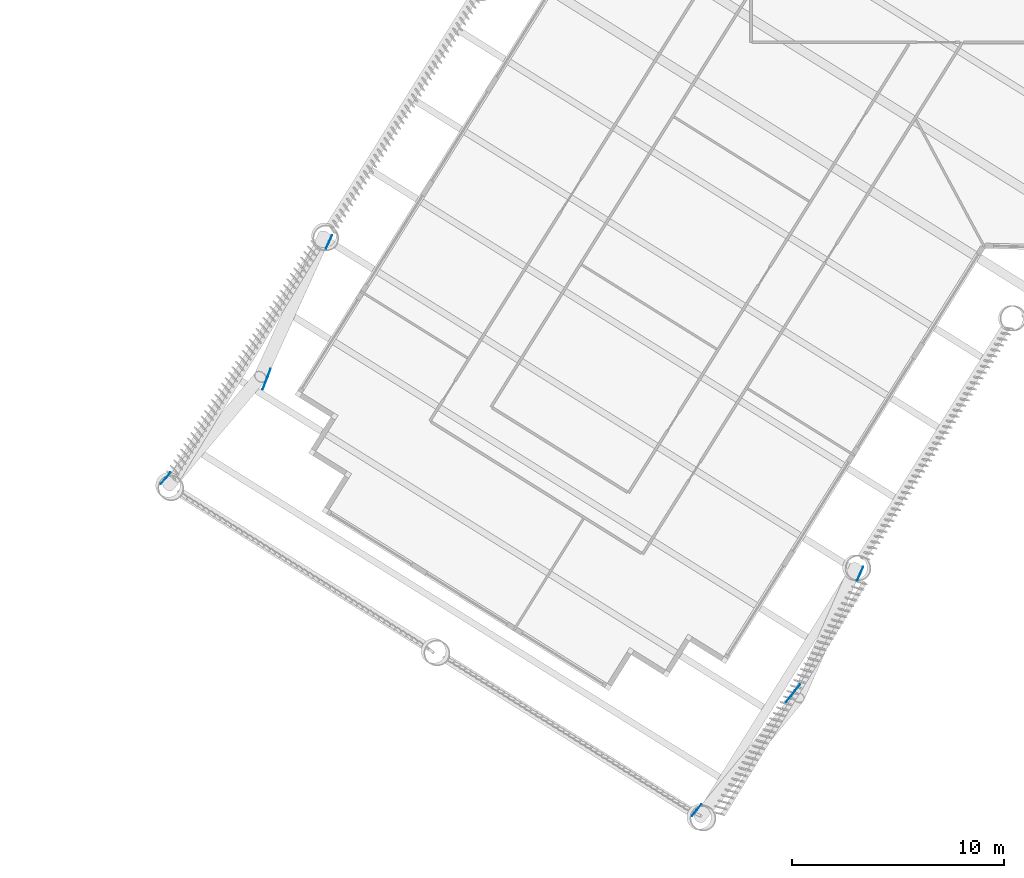
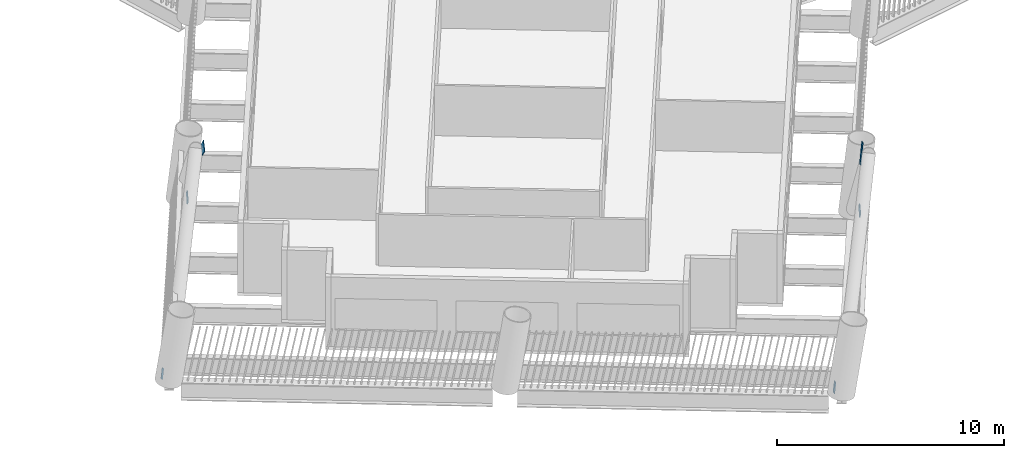
# One storey, part 8 of 22: 6 discrete accessories.
"""IFC4 building model written with IfcOpenShell, lengths in metres."""

from ifc_helpers import new_model, si_unit, direction, frame, origin, origin_2d, place, context, subcontext, project, spatial, rectangle, extrude, material, material_profile, profile_set, type_object, element, save


model = new_model("IFC4")

# Units and contexts
model_context = context("Model", 3, precision=1e-05, world=origin(), true_north=direction((0.0, 1.0)))
body_context = subcontext(model_context, "Body", "Model", "MODEL_VIEW")
ifc_project = project(units=[si_unit("LENGTHUNIT", "METRE"), si_unit("AREAUNIT", "SQUARE_METRE"), si_unit("VOLUMEUNIT", "CUBIC_METRE"), si_unit("PLANEANGLEUNIT", "RADIAN"), si_unit("MASSUNIT", "GRAM", prefix="KILO")], contexts=[model_context])

# Site, building, storey
site_placement = place(None, origin())
site = spatial("IfcSite", under=ifc_project, at=site_placement, CompositionType="ELEMENT")
building_placement = place(site_placement, origin())
building = spatial("IfcBuilding", under=site, at=building_placement, Name="Tarsis Ring Headquarters", CompositionType="ELEMENT")
storey_placement = place(building_placement, frame((0.0, 0.0, 71.199951171875)))
storey = spatial("IfcBuildingStorey", under=building, at=storey_placement, Name="L15", CompositionType="ELEMENT", Elevation=71.199951171875)

# Discrete accessories
ifc_material = material(Name="Structural steel S355", Category="steel")
ifc_material_profile = material_profile(ifc_material, rectangle(XDim=0.02490234375, YDim=0.5, at=origin_2d()), Name="PL 25x500")
ifc_profile_set = profile_set([ifc_material_profile], Name="Structural steel S355")
discrete_accessory_type = type_object("IfcDiscreteAccessoryType", Name="Gusset plate Exo brace 25", PredefinedType="BRACKET", material=ifc_profile_set)
discrete_accessory_1_placement = place(storey_placement, frame((-32.875, -25.275634765625, 0.0), z_axis=(-0.282762106133, -0.622662668946, 0.729614139142), x_axis=(0.910513158848, -0.413480093312, 0.0)))
element("IfcDiscreteAccessory", 1, at=discrete_accessory_1_placement, inside=storey, type_object=discrete_accessory_type, Name="Gusset plate GP5", PredefinedType="BRACKET", context=body_context, shape_type="SweptSolid", body=[
    extrude(rectangle(XDim=0.02490234375, YDim=0.5, at=origin_2d()), origin(), (0.0, 0.0, 1.0), 0.5),
])
discrete_accessory_2_placement = place(storey_placement, frame((-35.77001953125, -31.595458984375, 7.4375), z_axis=(-0.245383750825, -0.64336933674, 0.725163920348), x_axis=(0.934347230149, -0.35636393408, 0.0)))
element("IfcDiscreteAccessory", 2, at=discrete_accessory_2_placement, inside=storey, type_object=discrete_accessory_type, Name="Gusset plate GP5", PredefinedType="BRACKET", context=body_context, shape_type="SweptSolid", body=[
    extrude(rectangle(XDim=0.02490234375, YDim=0.5, at=origin_2d()), origin(), (0.0, 0.0, 1.0), 1.0),
])
discrete_accessory_3_placement = place(storey_placement, frame((-40.77294921875, -36.729248046875, 0.0), z_axis=(0.421305866556, 0.498439501452, 0.757667097212), x_axis=(-0.763726656604, 0.64553976949, 0.0)))
element("IfcDiscreteAccessory", 3, at=discrete_accessory_3_placement, inside=storey, type_object=discrete_accessory_type, Name="Gusset plate GP5", PredefinedType="BRACKET", context=body_context, shape_type="SweptSolid", body=[
    extrude(rectangle(XDim=0.02490234375, YDim=0.5, at=origin_2d()), origin(), (0.0, 0.0, 1.0), 0.5),
])
discrete_accessory_4_placement = place(storey_placement, frame((-15.673583984375, -52.41796875, 0.0), z_axis=(0.435926144277, 0.52867638774, 0.728333490774), x_axis=(-0.771539366313, 0.636181582749, 0.0)))
element("IfcDiscreteAccessory", 4, at=discrete_accessory_4_placement, inside=storey, type_object=discrete_accessory_type, Name="Gusset plate GP5", PredefinedType="BRACKET", context=body_context, shape_type="SweptSolid", body=[
    extrude(rectangle(XDim=0.02490234375, YDim=0.5, at=origin_2d()), origin(), (0.0, 0.0, 1.0), 0.500244140625),
])
discrete_accessory_5_placement = place(storey_placement, frame((-11.2255859375, -47.035400390625, 7.436767578125), z_axis=(0.423580942075, 0.541011739273, 0.726557281623), x_axis=(-0.787377520721, 0.616471118434, 0.0)))
element("IfcDiscreteAccessory", 5, at=discrete_accessory_5_placement, inside=storey, type_object=discrete_accessory_type, Name="Gusset plate GP5", PredefinedType="BRACKET", context=body_context, shape_type="SweptSolid", body=[
    extrude(rectangle(XDim=0.02490234375, YDim=0.5, at=origin_2d()), origin(), (0.0, 0.0, 1.0), 1.0),
])
discrete_accessory_6_placement = place(storey_placement, frame((-7.771240234375, -40.9580078125, 0.0), z_axis=(-0.262667226803, -0.59612766529, 0.758707937641), x_axis=(0.915104935391, -0.403215770058, 0.0)))
element("IfcDiscreteAccessory", 6, at=discrete_accessory_6_placement, inside=storey, type_object=discrete_accessory_type, Name="Gusset plate GP5", PredefinedType="BRACKET", context=body_context, shape_type="SweptSolid", body=[
    extrude(rectangle(XDim=0.02490234375, YDim=0.5, at=origin_2d()), origin(), (0.0, 0.0, 1.0), 0.5),
])

save(model, "model.ifc")
